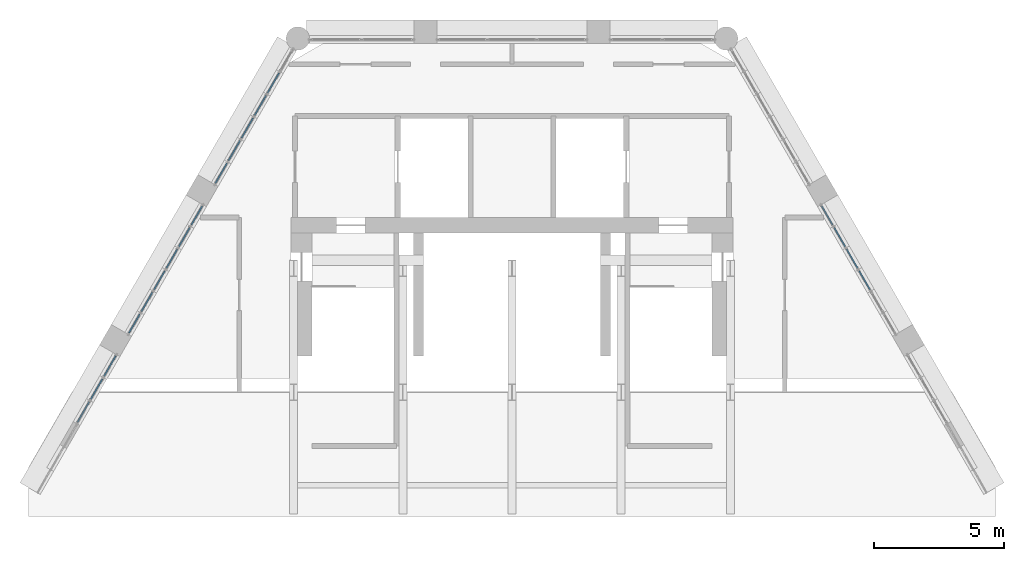
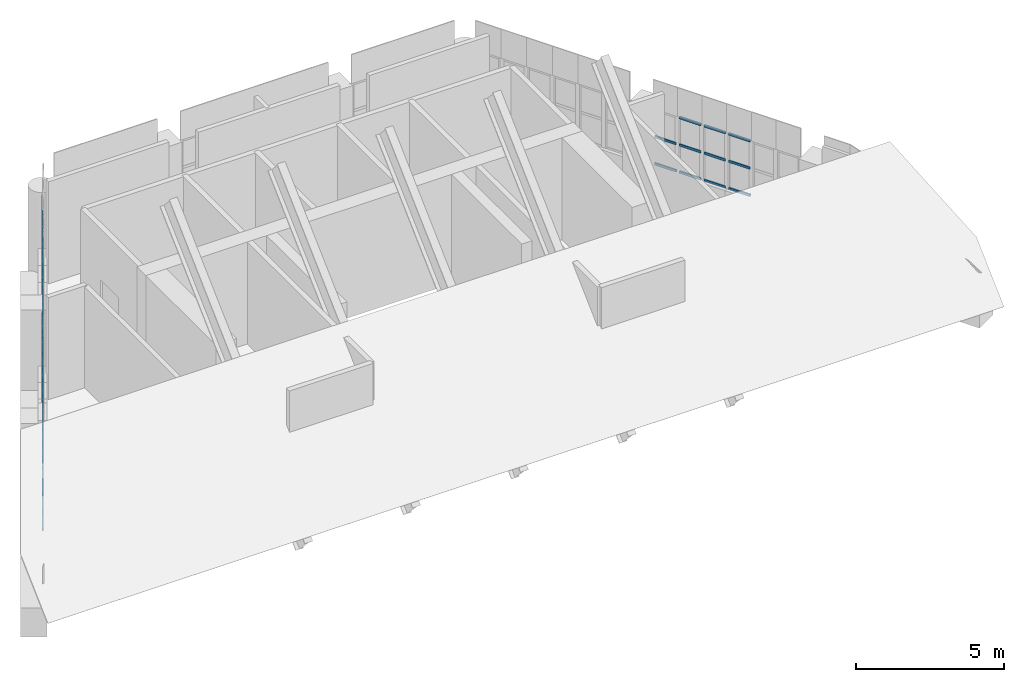
# One storey, part 11 of 16: 52 members, 18 elements without a shape of their own.
"""IFC4 building model written with IfcOpenShell, lengths in metres."""

import ifcopenshell
import ifcopenshell.guid

model = None  # the IFC model being written
_history = None  # IfcOwnerHistory: only IFC2X3 demands one
_inside = {}  # id of a spatial element -> (the spatial element, [elements in it])
_under = {}  # id of a project, library or spatial element -> (it, [spatial elements below it])
_declared = {}  # id of a project -> (the project, [libraries it declares])
_typed = {}  # id of a type object -> (the type object, [elements of that type])
_made_of = {}  # id of a material, layer set ... -> (it, [elements and type objects made of it])


def new_model(schema):
    """Start an empty IFC model of exactly this schema.

    Asked for "IFC4X3", IfcOpenShell would pick the latest addendum, in which some entities
    have other attributes; the version numbers below select the first issue.
    IFC2X3 requires an IfcOwnerHistory on every rooted entity: one is made here for all.
    """
    global model, _history
    if schema == "IFC4X3":
        model = ifcopenshell.file(schema_version=(4, 3, 0, 0))
    else:
        model = ifcopenshell.file(schema=schema)
    _inside.clear()
    _under.clear()
    _declared.clear()
    _typed.clear()
    _made_of.clear()
    _history = None
    if model.schema == "IFC2X3":
        org = make("IfcOrganization", Name="unknown")
        user = make(
            "IfcPersonAndOrganization",
            ThePerson=make("IfcPerson", FamilyName="unknown"),
            TheOrganization=org,
        )
        app = make(
            "IfcApplication",
            ApplicationDeveloper=org,
            Version="unknown",
            ApplicationFullName="unknown",
            ApplicationIdentifier="unknown",
        )
        _history = make(
            "IfcOwnerHistory",
            OwningUser=user,
            OwningApplication=app,
            ChangeAction="ADDED",
            CreationDate=0,
        )
    return model


def make(cls, **values):
    """One entity of the class cls with the attributes given. An attribute that is None is left unset."""
    return model.create_entity(
        cls, **{name: value for name, value in values.items() if value is not None}
    )


def rooted(cls, **values):
    """An entity with a GlobalId (a new one), such as an element, a storey or a relation."""
    return make(cls, GlobalId=ifcopenshell.guid.new(), OwnerHistory=_history, **values)


def si_unit(unit_type, name, prefix=None):
    """IfcSIUnit, for example si_unit("LENGTHUNIT", "METRE", prefix="MILLI")."""
    return make("IfcSIUnit", UnitType=unit_type, Prefix=prefix, Name=name)


def assignment(units):
    """IfcUnitAssignment: the units of a project."""
    return None if units is None else make("IfcUnitAssignment", Units=units)


def point(xyz):
    """IfcCartesianPoint."""
    return None if xyz is None else make("IfcCartesianPoint", Coordinates=xyz)


def direction(xyz):
    """IfcDirection."""
    return None if xyz is None else make("IfcDirection", DirectionRatios=xyz)


def frame(location, z_axis=None, x_axis=None):
    """IfcAxis2Placement3D, a coordinate frame: its origin and axes. An axis left out is left unset."""
    return make(
        "IfcAxis2Placement3D",
        Location=point(location),
        Axis=direction(z_axis),
        RefDirection=direction(x_axis),
    )


def frame_2d(location, x_axis=None):
    """IfcAxis2Placement2D, a coordinate frame in the plane: its origin and x axis."""
    return make(
        "IfcAxis2Placement2D", Location=point(location), RefDirection=direction(x_axis)
    )


def origin():
    """The frame at (0, 0, 0) with its axes left unset."""
    return frame((0.0, 0.0, 0.0))


def origin_2d():
    """The frame at (0, 0) in the plane with its x axis left unset."""
    return frame_2d((0.0, 0.0))


def place(relative_to, where):
    """IfcLocalPlacement: puts the frame where relative to a parent placement (None: the world)."""
    return make(
        "IfcLocalPlacement", PlacementRelTo=relative_to, RelativePlacement=where
    )


def context(
    kind, dimensions, precision=None, world=None, true_north=None, identifier=None
):
    """IfcGeometricRepresentationContext, for example the 3D "Model" context."""
    return make(
        "IfcGeometricRepresentationContext",
        ContextIdentifier=identifier,
        ContextType=kind,
        CoordinateSpaceDimension=dimensions,
        Precision=precision,
        WorldCoordinateSystem=world,
        TrueNorth=true_north,
    )


def subcontext(parent, identifier, kind, view, scale=None):
    """IfcGeometricRepresentationSubContext, for example "Body" below "Model"."""
    return make(
        "IfcGeometricRepresentationSubContext",
        ContextIdentifier=identifier,
        ContextType=kind,
        ParentContext=parent,
        TargetScale=scale,
        TargetView=view,
    )


def project(units=None, contexts=None):
    """IfcProject with its units and contexts."""
    return rooted(
        "IfcProject",
        Name="project",
        RepresentationContexts=contexts,
        UnitsInContext=assignment(units),
    )


def spatial(cls, under=None, at=None, **own):
    """A site, building, storey or space (cls), placed at a placement, below another one or the project."""
    s = rooted(cls, ObjectPlacement=at, **own)
    if under is not None:
        _under.setdefault(under.id(), (under, []))[1].append(s)
    return s


def profile(cls, at=None, kind="AREA", **sizes):
    """A parametric profile (cls). Its sizes go by their IFC names, for example OverallWidth=200.0."""
    return make(cls, ProfileType=kind, Position=at, **sizes)


def hollow_rectangle(**sizes):
    """IfcRectangleHollowProfileDef."""
    return profile("IfcRectangleHollowProfileDef", **sizes)


def extrude(swept, where, along, depth):
    """IfcExtrudedAreaSolid: the profile swept, set in the frame where, extruded along a direction by depth."""
    return make(
        "IfcExtrudedAreaSolid",
        SweptArea=swept,
        Position=where,
        ExtrudedDirection=direction(along),
        Depth=depth,
    )


def shape(context_of_items, identifier, shape_type, items):
    """IfcShapeRepresentation: the items that make up one representation, for example the "Body"."""
    return make(
        "IfcShapeRepresentation",
        ContextOfItems=context_of_items,
        RepresentationIdentifier=identifier,
        RepresentationType=shape_type,
        Items=items,
    )


def material(Name=None, Category=None):
    """IfcMaterial."""
    return make("IfcMaterial", Name=Name, Category=Category)


def material_profile(
    of_material, cross_section, Name=None, Category=None, Priority=None
):
    """IfcMaterialProfile: a cross section and its material."""
    return make(
        "IfcMaterialProfile",
        Name=Name,
        Material=of_material,
        Profile=cross_section,
        Priority=Priority,
        Category=Category,
    )


def profile_set(profiles, Name=None, composite=None):
    """IfcMaterialProfileSet."""
    return make(
        "IfcMaterialProfileSet",
        Name=Name,
        MaterialProfiles=profiles,
        CompositeProfile=composite,
    )


def made_of(thing, what):
    """Note that an element or type object is made of a material, layer set ...; save() writes the relation."""
    if what is not None:
        _made_of.setdefault(what.id(), (what, []))[1].append(thing)
    return thing


def type_object(cls, material=None, **own):
    """A type object (cls), such as IfcWallType, which elements share."""
    return made_of(rooted(cls, **own), material)


def element(
    cls,
    number,
    at=None,
    inside=None,
    cuts=None,
    type_object=None,
    material=None,
    context=None,
    identifier="Body",
    shape_type=None,
    held_by="IfcProductDefinitionShape",
    body=None,
    shapes=None,
    **own,
):
    """One element of the class cls, such as IfcWall. Its Tag is "e" and its number.

    at: its placement. inside: the storey or other place that contains it. cuts: it is an
    opening in that element (IfcRelVoidsElement). A single representation is given by context,
    identifier, shape_type and body (its items); several are given by shapes. held_by: the class
    of the entity that holds the representations. save() writes the other relations.
    """
    e = rooted(cls, Tag="e%d" % number, ObjectPlacement=at, **own)
    if body is not None:
        shapes = [shape(context, identifier, shape_type, body)]
    if shapes is not None:
        e.Representation = make(held_by, Representations=shapes)
    if inside is not None:
        _inside.setdefault(inside.id(), (inside, []))[1].append(e)
    if cuts is not None:
        rooted(
            "IfcRelVoidsElement", RelatingBuildingElement=cuts, RelatedOpeningElement=e
        )
    if type_object is not None:
        _typed.setdefault(type_object.id(), (type_object, []))[1].append(e)
    return made_of(e, material)


def aggregate(whole, parts):
    """IfcRelAggregates: a whole, such as a stair, and the parts it consists of."""
    return rooted("IfcRelAggregates", RelatingObject=whole, RelatedObjects=parts)


def save(model, path):
    """Write the relations noted so far, then the file.

    IfcRelAggregates (storeys below a building ...), IfcRelContainedInSpatialStructure (elements
    in a storey), IfcRelDefinesByType, IfcRelAssociatesMaterial and IfcRelDeclares: one each for
    every whole, place, type object, material and project.
    """
    for whole, parts in _under.values():
        aggregate(whole, parts)
    for where, things in _inside.values():
        rooted(
            "IfcRelContainedInSpatialStructure",
            RelatedElements=things,
            RelatingStructure=where,
        )
    for kind, things in _typed.values():
        rooted("IfcRelDefinesByType", RelatedObjects=things, RelatingType=kind)
    for what, things in _made_of.values():
        rooted("IfcRelAssociatesMaterial", RelatedObjects=things, RelatingMaterial=what)
    for by, libraries in _declared.values():
        rooted("IfcRelDeclares", RelatingContext=by, RelatedDefinitions=libraries)
    model.write(path)


model = new_model("IFC4")

# Units and contexts
model_context = context("Model", 3, precision=1e-05, world=origin(), true_north=direction((0.0, 1.0)))
body_context = subcontext(model_context, "Body", "Model", "MODEL_VIEW")
ifc_project = project(units=[si_unit("LENGTHUNIT", "METRE"), si_unit("AREAUNIT", "SQUARE_METRE"), si_unit("VOLUMEUNIT", "CUBIC_METRE"), si_unit("PLANEANGLEUNIT", "RADIAN"), si_unit("MASSUNIT", "GRAM", prefix="KILO")], contexts=[model_context])

# Site, building, storey
site_placement = place(None, origin())
site = spatial("IfcSite", under=ifc_project, at=site_placement, CompositionType="ELEMENT")
building_placement = place(site_placement, origin())
building = spatial("IfcBuilding", under=site, at=building_placement, Name="Ostrander Bayou Hotel Tower", CompositionType="ELEMENT")
storey_placement = place(building_placement, frame((0.0, 0.0, 288.5)))
storey = spatial("IfcBuildingStorey", under=building, at=storey_placement, Name="L71", CompositionType="ELEMENT", Elevation=288.5)

# Curtain wall, members
ifc_material_1 = material(Name="Aluminium and clear glass", Category="aluminium")
curtain_wall_type = type_object("IfcCurtainWallType", Name="CW-CROWN glazed wall", PredefinedType="NOTDEFINED", material=ifc_material_1)
curtain_wall_1_placement = place(storey_placement, origin())
curtain_wall_1 = element("IfcCurtainWall", 1, at=curtain_wall_1_placement, inside=storey, type_object=curtain_wall_type, Name="CW-CROWN L71:NW-1-2", PredefinedType="NOTDEFINED")
ifc_material_2 = material(Name="Aluminium", Category="aluminium")
ifc_material_profile = material_profile(ifc_material_2, hollow_rectangle(XDim=0.050048828125, YDim=0.10009765625, WallThickness=0.00390625, at=origin_2d()))
ifc_profile_set = profile_set([ifc_material_profile], Name="Aluminium")
member_type = type_object("IfcMemberType", Name="CW-CR transom 50 x 100 mm", PredefinedType="USERDEFINED", material=ifc_profile_set)
member_1_placement = place(storey_placement, frame((-8.963623046875, 15.26171875, 1.030029296875), z_axis=(-0.500033502416, -0.866006060292, 0.0), x_axis=(0.866006060292, -0.500033502416, 0.0)))
member_1 = element("IfcMember", 2, at=member_1_placement, type_object=member_type, Name="CW-CROWN transom 1.1", ObjectType="TRANSOM", PredefinedType="USERDEFINED", context=body_context, shape_type="SweptSolid", body=[
    extrude(hollow_rectangle(XDim=0.050048828125, YDim=0.10009765625, WallThickness=0.00390625, at=origin_2d()), origin(), (0.0, 0.0, 1.0), 0.88330078125),
])
member_2_placement = place(storey_placement, frame((-8.963623046875, 15.26171875, 2.14990234375), z_axis=(-0.500033502416, -0.866006060292, 0.0), x_axis=(0.866006060292, -0.500033502416, 0.0)))
member_2 = element("IfcMember", 3, at=member_2_placement, type_object=member_type, Name="CW-CROWN transom 1.2", ObjectType="TRANSOM", PredefinedType="USERDEFINED", context=body_context, shape_type="SweptSolid", body=[
    extrude(hollow_rectangle(XDim=0.050048828125, YDim=0.10009765625, WallThickness=0.00390625, at=origin_2d()), origin(), (0.0, 0.0, 1.0), 0.88330078125),
])
member_3_placement = place(storey_placement, frame((-8.963623046875, 15.26171875, 3.27001953125), z_axis=(-0.500033502416, -0.866006060292, 0.0), x_axis=(0.866006060292, -0.500033502416, 0.0)))
member_3 = element("IfcMember", 4, at=member_3_placement, type_object=member_type, Name="CW-CROWN transom 1.3", ObjectType="TRANSOM", PredefinedType="USERDEFINED", context=body_context, shape_type="SweptSolid", body=[
    extrude(hollow_rectangle(XDim=0.050048828125, YDim=0.10009765625, WallThickness=0.00390625, at=origin_2d()), origin(), (0.0, 0.0, 1.0), 0.88330078125),
])
aggregate(curtain_wall_1, [member_1, member_2, member_3])

curtain_wall_2_placement = place(storey_placement, origin())
curtain_wall_2 = element("IfcCurtainWall", 5, at=curtain_wall_2_placement, inside=storey, type_object=curtain_wall_type, Name="CW-CROWN L71:NW-1-3", PredefinedType="NOTDEFINED")
member_4_placement = place(storey_placement, frame((-9.465087890625, 14.392822265625, 1.030029296875), z_axis=(-0.500153222552, -0.865936922628, 0.0), x_axis=(0.865936922628, -0.500153222552, 0.0)))
member_4 = element("IfcMember", 6, at=member_4_placement, type_object=member_type, Name="CW-CROWN transom 1.1", ObjectType="TRANSOM", PredefinedType="USERDEFINED", context=body_context, shape_type="SweptSolid", body=[
    extrude(hollow_rectangle(XDim=0.050048828125, YDim=0.10009765625, WallThickness=0.00390625, at=origin_2d()), origin(), (0.0, 0.0, 1.0), 0.883056640625),
])
member_5_placement = place(storey_placement, frame((-9.465087890625, 14.392822265625, 2.14990234375), z_axis=(-0.500153222552, -0.865936922628, 0.0), x_axis=(0.865936922628, -0.500153222552, 0.0)))
member_5 = element("IfcMember", 7, at=member_5_placement, type_object=member_type, Name="CW-CROWN transom 1.2", ObjectType="TRANSOM", PredefinedType="USERDEFINED", context=body_context, shape_type="SweptSolid", body=[
    extrude(hollow_rectangle(XDim=0.050048828125, YDim=0.10009765625, WallThickness=0.00390625, at=origin_2d()), origin(), (0.0, 0.0, 1.0), 0.883056640625),
])
member_6_placement = place(storey_placement, frame((-9.465087890625, 14.392822265625, 3.27001953125), z_axis=(-0.500153222552, -0.865936922628, 0.0), x_axis=(0.865936922628, -0.500153222552, 0.0)))
member_6 = element("IfcMember", 8, at=member_6_placement, type_object=member_type, Name="CW-CROWN transom 1.3", ObjectType="TRANSOM", PredefinedType="USERDEFINED", context=body_context, shape_type="SweptSolid", body=[
    extrude(hollow_rectangle(XDim=0.050048828125, YDim=0.10009765625, WallThickness=0.00390625, at=origin_2d()), origin(), (0.0, 0.0, 1.0), 0.883056640625),
])
aggregate(curtain_wall_2, [member_4, member_5, member_6])

curtain_wall_3_placement = place(storey_placement, origin())
curtain_wall_3 = element("IfcCurtainWall", 9, at=curtain_wall_3_placement, inside=storey, type_object=curtain_wall_type, Name="CW-CROWN L71:NW-1-4", PredefinedType="NOTDEFINED")
member_7_placement = place(storey_placement, frame((-9.966796875, 13.524169921875, 1.030029296875), z_axis=(-0.499826157957, -0.866125748273, 0.0), x_axis=(0.866125748273, -0.499826157957, 0.0)))
member_7 = element("IfcMember", 10, at=member_7_placement, type_object=member_type, Name="CW-CROWN transom 1.1", ObjectType="TRANSOM", PredefinedType="USERDEFINED", context=body_context, shape_type="SweptSolid", body=[
    extrude(hollow_rectangle(XDim=0.050048828125, YDim=0.10009765625, WallThickness=0.00390625, at=origin_2d()), origin(), (0.0, 0.0, 1.0), 0.883056640625),
])
member_8_placement = place(storey_placement, frame((-9.966796875, 13.524169921875, 2.14990234375), z_axis=(-0.499826157957, -0.866125748273, 0.0), x_axis=(0.866125748273, -0.499826157957, 0.0)))
member_8 = element("IfcMember", 11, at=member_8_placement, type_object=member_type, Name="CW-CROWN transom 1.2", ObjectType="TRANSOM", PredefinedType="USERDEFINED", context=body_context, shape_type="SweptSolid", body=[
    extrude(hollow_rectangle(XDim=0.050048828125, YDim=0.10009765625, WallThickness=0.00390625, at=origin_2d()), origin(), (0.0, 0.0, 1.0), 0.883056640625),
])
member_9_placement = place(storey_placement, frame((-9.966796875, 13.524169921875, 3.27001953125), z_axis=(-0.499826157957, -0.866125748273, 0.0), x_axis=(0.866125748273, -0.499826157957, 0.0)))
member_9 = element("IfcMember", 12, at=member_9_placement, type_object=member_type, Name="CW-CROWN transom 1.3", ObjectType="TRANSOM", PredefinedType="USERDEFINED", context=body_context, shape_type="SweptSolid", body=[
    extrude(hollow_rectangle(XDim=0.050048828125, YDim=0.10009765625, WallThickness=0.00390625, at=origin_2d()), origin(), (0.0, 0.0, 1.0), 0.883056640625),
])
aggregate(curtain_wall_3, [member_7, member_8, member_9])

curtain_wall_4_placement = place(storey_placement, origin())
curtain_wall_4 = element("IfcCurtainWall", 13, at=curtain_wall_4_placement, inside=storey, type_object=curtain_wall_type, Name="CW-CROWN L71:NW-1-5", PredefinedType="NOTDEFINED")
member_10_placement = place(storey_placement, frame((-10.46826171875, 12.6552734375, 1.030029296875), z_axis=(-0.500153222552, -0.865936922628, 0.0), x_axis=(0.865936922628, -0.500153222552, 0.0)))
member_10 = element("IfcMember", 14, at=member_10_placement, type_object=member_type, Name="CW-CROWN transom 1.1", ObjectType="TRANSOM", PredefinedType="USERDEFINED", context=body_context, shape_type="SweptSolid", body=[
    extrude(hollow_rectangle(XDim=0.050048828125, YDim=0.10009765625, WallThickness=0.00390625, at=origin_2d()), origin(), (0.0, 0.0, 1.0), 0.883056640625),
])
member_11_placement = place(storey_placement, frame((-10.46826171875, 12.6552734375, 2.14990234375), z_axis=(-0.500153222552, -0.865936922628, 0.0), x_axis=(0.865936922628, -0.500153222552, 0.0)))
member_11 = element("IfcMember", 15, at=member_11_placement, type_object=member_type, Name="CW-CROWN transom 1.2", ObjectType="TRANSOM", PredefinedType="USERDEFINED", context=body_context, shape_type="SweptSolid", body=[
    extrude(hollow_rectangle(XDim=0.050048828125, YDim=0.10009765625, WallThickness=0.00390625, at=origin_2d()), origin(), (0.0, 0.0, 1.0), 0.883056640625),
])
member_12_placement = place(storey_placement, frame((-10.46826171875, 12.6552734375, 3.27001953125), z_axis=(-0.500153222552, -0.865936922628, 0.0), x_axis=(0.865936922628, -0.500153222552, 0.0)))
member_12 = element("IfcMember", 16, at=member_12_placement, type_object=member_type, Name="CW-CROWN transom 1.3", ObjectType="TRANSOM", PredefinedType="USERDEFINED", context=body_context, shape_type="SweptSolid", body=[
    extrude(hollow_rectangle(XDim=0.050048828125, YDim=0.10009765625, WallThickness=0.00390625, at=origin_2d()), origin(), (0.0, 0.0, 1.0), 0.883056640625),
])
aggregate(curtain_wall_4, [member_10, member_11, member_12])

curtain_wall_5_placement = place(storey_placement, origin())
curtain_wall_5 = element("IfcCurtainWall", 17, at=curtain_wall_5_placement, inside=storey, type_object=curtain_wall_type, Name="CW-CROWN L71:NW-1-6", PredefinedType="NOTDEFINED")
member_13_placement = place(storey_placement, frame((-10.969970703125, 11.78662109375, 1.030029296875), z_axis=(-0.500033502416, -0.866006060292, 0.0), x_axis=(0.866006060292, -0.500033502416, 0.0)))
member_13 = element("IfcMember", 18, at=member_13_placement, type_object=member_type, Name="CW-CROWN transom 1.1", ObjectType="TRANSOM", PredefinedType="USERDEFINED", context=body_context, shape_type="SweptSolid", body=[
    extrude(hollow_rectangle(XDim=0.050048828125, YDim=0.10009765625, WallThickness=0.00390625, at=origin_2d()), origin(), (0.0, 0.0, 1.0), 0.88330078125),
])
member_14_placement = place(storey_placement, frame((-10.969970703125, 11.78662109375, 2.14990234375), z_axis=(-0.500033502416, -0.866006060292, 0.0), x_axis=(0.866006060292, -0.500033502416, 0.0)))
member_14 = element("IfcMember", 19, at=member_14_placement, type_object=member_type, Name="CW-CROWN transom 1.2", ObjectType="TRANSOM", PredefinedType="USERDEFINED", context=body_context, shape_type="SweptSolid", body=[
    extrude(hollow_rectangle(XDim=0.050048828125, YDim=0.10009765625, WallThickness=0.00390625, at=origin_2d()), origin(), (0.0, 0.0, 1.0), 0.88330078125),
])
member_15_placement = place(storey_placement, frame((-10.969970703125, 11.78662109375, 3.27001953125), z_axis=(-0.500033502416, -0.866006060292, 0.0), x_axis=(0.866006060292, -0.500033502416, 0.0)))
member_15 = element("IfcMember", 20, at=member_15_placement, type_object=member_type, Name="CW-CROWN transom 1.3", ObjectType="TRANSOM", PredefinedType="USERDEFINED", context=body_context, shape_type="SweptSolid", body=[
    extrude(hollow_rectangle(XDim=0.050048828125, YDim=0.10009765625, WallThickness=0.00390625, at=origin_2d()), origin(), (0.0, 0.0, 1.0), 0.88330078125),
])
aggregate(curtain_wall_5, [member_13, member_14, member_15])

curtain_wall_6_placement = place(storey_placement, origin())
curtain_wall_6 = element("IfcCurtainWall", 21, at=curtain_wall_6_placement, inside=storey, type_object=curtain_wall_type, Name="CW-CROWN L71:NW-2-1", PredefinedType="NOTDEFINED")
member_16_placement = place(storey_placement, frame((-11.92138671875, 10.138427734375, 1.030029296875), z_axis=(-0.500016035621, -0.866016145416, 0.0), x_axis=(0.866016145416, -0.500016035621, 0.0)))
member_16 = element("IfcMember", 22, at=member_16_placement, type_object=member_type, Name="CW-CROWN transom 1.1", ObjectType="TRANSOM", PredefinedType="USERDEFINED", context=body_context, shape_type="SweptSolid", body=[
    extrude(hollow_rectangle(XDim=0.050048828125, YDim=0.10009765625, WallThickness=0.00390625, at=origin_2d()), origin(), (0.0, 0.0, 1.0), 0.83984375),
])
member_17_placement = place(storey_placement, frame((-11.92138671875, 10.138427734375, 2.14990234375), z_axis=(-0.500016035621, -0.866016145416, 0.0), x_axis=(0.866016145416, -0.500016035621, 0.0)))
member_17 = element("IfcMember", 23, at=member_17_placement, type_object=member_type, Name="CW-CROWN transom 1.2", ObjectType="TRANSOM", PredefinedType="USERDEFINED", context=body_context, shape_type="SweptSolid", body=[
    extrude(hollow_rectangle(XDim=0.050048828125, YDim=0.10009765625, WallThickness=0.00390625, at=origin_2d()), origin(), (0.0, 0.0, 1.0), 0.83984375),
])
member_18_placement = place(storey_placement, frame((-11.92138671875, 10.138427734375, 3.27001953125), z_axis=(-0.500016035621, -0.866016145416, 0.0), x_axis=(0.866016145416, -0.500016035621, 0.0)))
member_18 = element("IfcMember", 24, at=member_18_placement, type_object=member_type, Name="CW-CROWN transom 1.3", ObjectType="TRANSOM", PredefinedType="USERDEFINED", context=body_context, shape_type="SweptSolid", body=[
    extrude(hollow_rectangle(XDim=0.050048828125, YDim=0.10009765625, WallThickness=0.00390625, at=origin_2d()), origin(), (0.0, 0.0, 1.0), 0.83984375),
])
aggregate(curtain_wall_6, [member_16, member_17, member_18])

curtain_wall_7_placement = place(storey_placement, origin())
curtain_wall_7 = element("IfcCurtainWall", 25, at=curtain_wall_7_placement, inside=storey, type_object=curtain_wall_type, Name="CW-CROWN L71:NW-2-2", PredefinedType="NOTDEFINED")
member_19_placement = place(storey_placement, frame((-12.4013671875, 9.30712890625, 1.030029296875), z_axis=(-0.500141944548, -0.86594343655, 0.0), x_axis=(0.86594343655, -0.500141944548, 0.0)))
member_19 = element("IfcMember", 26, at=member_19_placement, type_object=member_type, Name="CW-CROWN transom 1.1", ObjectType="TRANSOM", PredefinedType="USERDEFINED", context=body_context, shape_type="SweptSolid", body=[
    extrude(hollow_rectangle(XDim=0.050048828125, YDim=0.10009765625, WallThickness=0.00390625, at=origin_2d()), origin(), (0.0, 0.0, 1.0), 0.839599609375),
])
member_20_placement = place(storey_placement, frame((-12.4013671875, 9.30712890625, 2.14990234375), z_axis=(-0.500141944548, -0.86594343655, 0.0), x_axis=(0.86594343655, -0.500141944548, 0.0)))
member_20 = element("IfcMember", 27, at=member_20_placement, type_object=member_type, Name="CW-CROWN transom 1.2", ObjectType="TRANSOM", PredefinedType="USERDEFINED", context=body_context, shape_type="SweptSolid", body=[
    extrude(hollow_rectangle(XDim=0.050048828125, YDim=0.10009765625, WallThickness=0.00390625, at=origin_2d()), origin(), (0.0, 0.0, 1.0), 0.839599609375),
])
member_21_placement = place(storey_placement, frame((-12.4013671875, 9.30712890625, 3.27001953125), z_axis=(-0.500141944548, -0.86594343655, 0.0), x_axis=(0.86594343655, -0.500141944548, 0.0)))
member_21 = element("IfcMember", 28, at=member_21_placement, type_object=member_type, Name="CW-CROWN transom 1.3", ObjectType="TRANSOM", PredefinedType="USERDEFINED", context=body_context, shape_type="SweptSolid", body=[
    extrude(hollow_rectangle(XDim=0.050048828125, YDim=0.10009765625, WallThickness=0.00390625, at=origin_2d()), origin(), (0.0, 0.0, 1.0), 0.839599609375),
])
aggregate(curtain_wall_7, [member_19, member_20, member_21])

curtain_wall_8_placement = place(storey_placement, origin())
curtain_wall_8 = element("IfcCurtainWall", 29, at=curtain_wall_8_placement, inside=storey, type_object=curtain_wall_type, Name="CW-CROWN L71:NW-2-3", PredefinedType="NOTDEFINED")
member_22_placement = place(storey_placement, frame((-12.88134765625, 8.47607421875, 1.030029296875), z_axis=(-0.500016035621, -0.866016145416, 0.0), x_axis=(0.866016145416, -0.500016035621, 0.0)))
member_22 = element("IfcMember", 30, at=member_22_placement, type_object=member_type, Name="CW-CROWN transom 1.1", ObjectType="TRANSOM", PredefinedType="USERDEFINED", context=body_context, shape_type="SweptSolid", body=[
    extrude(hollow_rectangle(XDim=0.050048828125, YDim=0.10009765625, WallThickness=0.00390625, at=origin_2d()), origin(), (0.0, 0.0, 1.0), 0.83984375),
])
member_23_placement = place(storey_placement, frame((-12.88134765625, 8.47607421875, 2.14990234375), z_axis=(-0.500016035621, -0.866016145416, 0.0), x_axis=(0.866016145416, -0.500016035621, 0.0)))
member_23 = element("IfcMember", 31, at=member_23_placement, type_object=member_type, Name="CW-CROWN transom 1.2", ObjectType="TRANSOM", PredefinedType="USERDEFINED", context=body_context, shape_type="SweptSolid", body=[
    extrude(hollow_rectangle(XDim=0.050048828125, YDim=0.10009765625, WallThickness=0.00390625, at=origin_2d()), origin(), (0.0, 0.0, 1.0), 0.83984375),
])
member_24_placement = place(storey_placement, frame((-12.88134765625, 8.47607421875, 3.27001953125), z_axis=(-0.500016035621, -0.866016145416, 0.0), x_axis=(0.866016145416, -0.500016035621, 0.0)))
member_24 = element("IfcMember", 32, at=member_24_placement, type_object=member_type, Name="CW-CROWN transom 1.3", ObjectType="TRANSOM", PredefinedType="USERDEFINED", context=body_context, shape_type="SweptSolid", body=[
    extrude(hollow_rectangle(XDim=0.050048828125, YDim=0.10009765625, WallThickness=0.00390625, at=origin_2d()), origin(), (0.0, 0.0, 1.0), 0.83984375),
])
aggregate(curtain_wall_8, [member_22, member_23, member_24])

curtain_wall_9_placement = place(storey_placement, origin())
curtain_wall_9 = element("IfcCurtainWall", 33, at=curtain_wall_9_placement, inside=storey, type_object=curtain_wall_type, Name="CW-CROWN L71:NW-2-4", PredefinedType="NOTDEFINED")
member_25_placement = place(storey_placement, frame((-13.361083984375, 7.644775390625, 1.030029296875), z_axis=(-0.500016035621, -0.866016145416, 0.0), x_axis=(0.866016145416, -0.500016035621, 0.0)))
member_25 = element("IfcMember", 34, at=member_25_placement, type_object=member_type, Name="CW-CROWN transom 1.1", ObjectType="TRANSOM", PredefinedType="USERDEFINED", context=body_context, shape_type="SweptSolid", body=[
    extrude(hollow_rectangle(XDim=0.050048828125, YDim=0.10009765625, WallThickness=0.00390625, at=origin_2d()), origin(), (0.0, 0.0, 1.0), 0.83984375),
])
member_26_placement = place(storey_placement, frame((-13.361083984375, 7.644775390625, 2.14990234375), z_axis=(-0.500016035621, -0.866016145416, 0.0), x_axis=(0.866016145416, -0.500016035621, 0.0)))
member_26 = element("IfcMember", 35, at=member_26_placement, type_object=member_type, Name="CW-CROWN transom 1.2", ObjectType="TRANSOM", PredefinedType="USERDEFINED", context=body_context, shape_type="SweptSolid", body=[
    extrude(hollow_rectangle(XDim=0.050048828125, YDim=0.10009765625, WallThickness=0.00390625, at=origin_2d()), origin(), (0.0, 0.0, 1.0), 0.83984375),
])
member_27_placement = place(storey_placement, frame((-13.361083984375, 7.644775390625, 3.27001953125), z_axis=(-0.500016035621, -0.866016145416, 0.0), x_axis=(0.866016145416, -0.500016035621, 0.0)))
member_27 = element("IfcMember", 36, at=member_27_placement, type_object=member_type, Name="CW-CROWN transom 1.3", ObjectType="TRANSOM", PredefinedType="USERDEFINED", context=body_context, shape_type="SweptSolid", body=[
    extrude(hollow_rectangle(XDim=0.050048828125, YDim=0.10009765625, WallThickness=0.00390625, at=origin_2d()), origin(), (0.0, 0.0, 1.0), 0.83984375),
])
aggregate(curtain_wall_9, [member_25, member_26, member_27])

curtain_wall_10_placement = place(storey_placement, origin())
curtain_wall_10 = element("IfcCurtainWall", 37, at=curtain_wall_10_placement, inside=storey, type_object=curtain_wall_type, Name="CW-CROWN L71:NW-2-5", PredefinedType="NOTDEFINED")
member_28_placement = place(storey_placement, frame((-13.841064453125, 6.8134765625, 1.030029296875), z_axis=(-0.500016035621, -0.866016145416, 0.0), x_axis=(0.866016145416, -0.500016035621, 0.0)))
member_28 = element("IfcMember", 38, at=member_28_placement, type_object=member_type, Name="CW-CROWN transom 1.1", ObjectType="TRANSOM", PredefinedType="USERDEFINED", context=body_context, shape_type="SweptSolid", body=[
    extrude(hollow_rectangle(XDim=0.050048828125, YDim=0.10009765625, WallThickness=0.00390625, at=origin_2d()), origin(), (0.0, 0.0, 1.0), 0.83984375),
])
member_29_placement = place(storey_placement, frame((-13.841064453125, 6.8134765625, 2.14990234375), z_axis=(-0.500016035621, -0.866016145416, 0.0), x_axis=(0.866016145416, -0.500016035621, 0.0)))
member_29 = element("IfcMember", 39, at=member_29_placement, type_object=member_type, Name="CW-CROWN transom 1.2", ObjectType="TRANSOM", PredefinedType="USERDEFINED", context=body_context, shape_type="SweptSolid", body=[
    extrude(hollow_rectangle(XDim=0.050048828125, YDim=0.10009765625, WallThickness=0.00390625, at=origin_2d()), origin(), (0.0, 0.0, 1.0), 0.83984375),
])
member_30_placement = place(storey_placement, frame((-13.841064453125, 6.8134765625, 3.27001953125), z_axis=(-0.500016035621, -0.866016145416, 0.0), x_axis=(0.866016145416, -0.500016035621, 0.0)))
member_30 = element("IfcMember", 40, at=member_30_placement, type_object=member_type, Name="CW-CROWN transom 1.3", ObjectType="TRANSOM", PredefinedType="USERDEFINED", context=body_context, shape_type="SweptSolid", body=[
    extrude(hollow_rectangle(XDim=0.050048828125, YDim=0.10009765625, WallThickness=0.00390625, at=origin_2d()), origin(), (0.0, 0.0, 1.0), 0.83984375),
])
aggregate(curtain_wall_10, [member_28, member_29, member_30])

curtain_wall_11_placement = place(storey_placement, origin())
curtain_wall_11 = element("IfcCurtainWall", 41, at=curtain_wall_11_placement, inside=storey, type_object=curtain_wall_type, Name="CW-CROWN L71:NW-2-6", PredefinedType="NOTDEFINED")
member_31_placement = place(storey_placement, frame((-14.321044921875, 5.982421875, 1.030029296875), z_axis=(-0.500016035621, -0.866016145416, 0.0), x_axis=(0.866016145416, -0.500016035621, 0.0)))
member_31 = element("IfcMember", 42, at=member_31_placement, type_object=member_type, Name="CW-CROWN transom 1.1", ObjectType="TRANSOM", PredefinedType="USERDEFINED", context=body_context, shape_type="SweptSolid", body=[
    extrude(hollow_rectangle(XDim=0.050048828125, YDim=0.10009765625, WallThickness=0.00390625, at=origin_2d()), origin(), (0.0, 0.0, 1.0), 0.83984375),
])
member_32_placement = place(storey_placement, frame((-14.321044921875, 5.982421875, 2.14990234375), z_axis=(-0.500016035621, -0.866016145416, 0.0), x_axis=(0.866016145416, -0.500016035621, 0.0)))
member_32 = element("IfcMember", 43, at=member_32_placement, type_object=member_type, Name="CW-CROWN transom 1.2", ObjectType="TRANSOM", PredefinedType="USERDEFINED", context=body_context, shape_type="SweptSolid", body=[
    extrude(hollow_rectangle(XDim=0.050048828125, YDim=0.10009765625, WallThickness=0.00390625, at=origin_2d()), origin(), (0.0, 0.0, 1.0), 0.83984375),
])
member_33_placement = place(storey_placement, frame((-14.321044921875, 5.982421875, 3.27001953125), z_axis=(-0.500016035621, -0.866016145416, 0.0), x_axis=(0.866016145416, -0.500016035621, 0.0)))
member_33 = element("IfcMember", 44, at=member_33_placement, type_object=member_type, Name="CW-CROWN transom 1.3", ObjectType="TRANSOM", PredefinedType="USERDEFINED", context=body_context, shape_type="SweptSolid", body=[
    extrude(hollow_rectangle(XDim=0.050048828125, YDim=0.10009765625, WallThickness=0.00390625, at=origin_2d()), origin(), (0.0, 0.0, 1.0), 0.83984375),
])
aggregate(curtain_wall_11, [member_31, member_32, member_33])

curtain_wall_12_placement = place(storey_placement, origin())
curtain_wall_12 = element("IfcCurtainWall", 45, at=curtain_wall_12_placement, inside=storey, type_object=curtain_wall_type, Name="CW-CROWN L71:NW-3-1", PredefinedType="NOTDEFINED")
member_34_placement = place(storey_placement, frame((-15.2509765625, 4.371826171875, 1.030029296875), z_axis=(-0.499925626596, -0.866068339032, 0.0), x_axis=(0.866068339032, -0.499925626596, 0.0)))
member_34 = element("IfcMember", 46, at=member_34_placement, type_object=member_type, Name="CW-CROWN transom 1.1", ObjectType="TRANSOM", PredefinedType="USERDEFINED", context=body_context, shape_type="SweptSolid", body=[
    extrude(hollow_rectangle(XDim=0.050048828125, YDim=0.10009765625, WallThickness=0.00390625, at=origin_2d()), origin(), (0.0, 0.0, 1.0), 0.901611328125),
])
member_35_placement = place(storey_placement, frame((-15.2509765625, 4.371826171875, 2.14990234375), z_axis=(-0.499925626596, -0.866068339032, 0.0), x_axis=(0.866068339032, -0.499925626596, 0.0)))
member_35 = element("IfcMember", 47, at=member_35_placement, type_object=member_type, Name="CW-CROWN transom 1.2", ObjectType="TRANSOM", PredefinedType="USERDEFINED", context=body_context, shape_type="SweptSolid", body=[
    extrude(hollow_rectangle(XDim=0.050048828125, YDim=0.10009765625, WallThickness=0.00390625, at=origin_2d()), origin(), (0.0, 0.0, 1.0), 0.901611328125),
])
member_36_placement = place(storey_placement, frame((-15.2509765625, 4.371826171875, 3.27001953125), z_axis=(-0.499925626596, -0.866068339032, 0.0), x_axis=(0.866068339032, -0.499925626596, 0.0)))
member_36 = element("IfcMember", 48, at=member_36_placement, type_object=member_type, Name="CW-CROWN transom 1.3", ObjectType="TRANSOM", PredefinedType="USERDEFINED", context=body_context, shape_type="SweptSolid", body=[
    extrude(hollow_rectangle(XDim=0.050048828125, YDim=0.10009765625, WallThickness=0.00390625, at=origin_2d()), origin(), (0.0, 0.0, 1.0), 0.901611328125),
])
aggregate(curtain_wall_12, [member_34, member_35, member_36])

curtain_wall_13_placement = place(storey_placement, origin())
curtain_wall_13 = element("IfcCurtainWall", 49, at=curtain_wall_13_placement, inside=storey, type_object=curtain_wall_type, Name="CW-CROWN L71:NW-3-2", PredefinedType="NOTDEFINED")
member_37_placement = place(storey_placement, frame((-15.76171875, 3.487060546875, 1.030029296875), z_axis=(-0.499925626596, -0.866068339032, 0.0), x_axis=(0.866068339032, -0.499925626596, 0.0)))
member_37 = element("IfcMember", 50, at=member_37_placement, type_object=member_type, Name="CW-CROWN transom 1.1", ObjectType="TRANSOM", PredefinedType="USERDEFINED", context=body_context, shape_type="SweptSolid", body=[
    extrude(hollow_rectangle(XDim=0.050048828125, YDim=0.10009765625, WallThickness=0.00390625, at=origin_2d()), origin(), (0.0, 0.0, 1.0), 0.901611328125),
])
member_38_placement = place(storey_placement, frame((-15.76171875, 3.487060546875, 2.14990234375), z_axis=(-0.499925626596, -0.866068339032, 0.0), x_axis=(0.866068339032, -0.499925626596, 0.0)))
member_38 = element("IfcMember", 51, at=member_38_placement, type_object=member_type, Name="CW-CROWN transom 1.2", ObjectType="TRANSOM", PredefinedType="USERDEFINED", context=body_context, shape_type="SweptSolid", body=[
    extrude(hollow_rectangle(XDim=0.050048828125, YDim=0.10009765625, WallThickness=0.00390625, at=origin_2d()), origin(), (0.0, 0.0, 1.0), 0.901611328125),
])
member_39_placement = place(storey_placement, frame((-15.76171875, 3.487060546875, 3.27001953125), z_axis=(-0.499925626596, -0.866068339032, 0.0), x_axis=(0.866068339032, -0.499925626596, 0.0)))
member_39 = element("IfcMember", 52, at=member_39_placement, type_object=member_type, Name="CW-CROWN transom 1.3", ObjectType="TRANSOM", PredefinedType="USERDEFINED", context=body_context, shape_type="SweptSolid", body=[
    extrude(hollow_rectangle(XDim=0.050048828125, YDim=0.10009765625, WallThickness=0.00390625, at=origin_2d()), origin(), (0.0, 0.0, 1.0), 0.901611328125),
])
aggregate(curtain_wall_13, [member_37, member_38, member_39])

curtain_wall_14_placement = place(storey_placement, origin())
curtain_wall_14 = element("IfcCurtainWall", 53, at=curtain_wall_14_placement, inside=storey, type_object=curtain_wall_type, Name="CW-CROWN L71:NW-3-3", PredefinedType="NOTDEFINED")
member_40_placement = place(storey_placement, frame((-16.2724609375, 2.602294921875, 1.030029296875), z_axis=(-0.499925626596, -0.866068339032, 0.0), x_axis=(0.866068339032, -0.499925626596, 0.0)))
member_40 = element("IfcMember", 54, at=member_40_placement, type_object=member_type, Name="CW-CROWN transom 1.1", ObjectType="TRANSOM", PredefinedType="USERDEFINED", context=body_context, shape_type="SweptSolid", body=[
    extrude(hollow_rectangle(XDim=0.050048828125, YDim=0.10009765625, WallThickness=0.00390625, at=origin_2d()), origin(), (0.0, 0.0, 1.0), 0.901611328125),
])
member_41_placement = place(storey_placement, frame((-16.2724609375, 2.602294921875, 2.442138671875), z_axis=(-0.499925626596, -0.866068339032, 0.0), x_axis=(0.866068339032, -0.499925626596, 0.0)))
member_41 = element("IfcMember", 55, at=member_41_placement, type_object=member_type, Name="CW-CROWN transom 1.2", ObjectType="TRANSOM", PredefinedType="USERDEFINED", context=body_context, shape_type="SweptSolid", body=[
    extrude(hollow_rectangle(XDim=0.050048828125, YDim=0.10009765625, WallThickness=0.00390625, at=origin_2d()), origin(), (0.0, 0.0, 1.0), 0.901611328125),
])
aggregate(curtain_wall_14, [member_40, member_41])

curtain_wall_15_placement = place(storey_placement, origin())
curtain_wall_15 = element("IfcCurtainWall", 56, at=curtain_wall_15_placement, inside=storey, type_object=curtain_wall_type, Name="CW-CROWN L71:NE-2-3", PredefinedType="NOTDEFINED")
member_42_placement = place(storey_placement, frame((13.781005859375, 6.91748046875, 1.030029296875), z_axis=(-0.500016035621, 0.866016145416, 0.0), x_axis=(-0.866016145416, -0.500016035621, 0.0)))
member_42 = element("IfcMember", 57, at=member_42_placement, type_object=member_type, Name="CW-CROWN transom 1.1", ObjectType="TRANSOM", PredefinedType="USERDEFINED", context=body_context, shape_type="SweptSolid", body=[
    extrude(hollow_rectangle(XDim=0.050048828125, YDim=0.10009765625, WallThickness=0.00390625, at=origin_2d()), origin(), (0.0, 0.0, 1.0), 0.83984375),
])
member_43_placement = place(storey_placement, frame((13.781005859375, 6.91748046875, 2.14990234375), z_axis=(-0.500016035621, 0.866016145416, 0.0), x_axis=(-0.866016145416, -0.500016035621, 0.0)))
member_43 = element("IfcMember", 58, at=member_43_placement, type_object=member_type, Name="CW-CROWN transom 1.2", ObjectType="TRANSOM", PredefinedType="USERDEFINED", context=body_context, shape_type="SweptSolid", body=[
    extrude(hollow_rectangle(XDim=0.050048828125, YDim=0.10009765625, WallThickness=0.00390625, at=origin_2d()), origin(), (0.0, 0.0, 1.0), 0.83984375),
])
member_44_placement = place(storey_placement, frame((13.781005859375, 6.91748046875, 3.27001953125), z_axis=(-0.500016035621, 0.866016145416, 0.0), x_axis=(-0.866016145416, -0.500016035621, 0.0)))
member_44 = element("IfcMember", 59, at=member_44_placement, type_object=member_type, Name="CW-CROWN transom 1.3", ObjectType="TRANSOM", PredefinedType="USERDEFINED", context=body_context, shape_type="SweptSolid", body=[
    extrude(hollow_rectangle(XDim=0.050048828125, YDim=0.10009765625, WallThickness=0.00390625, at=origin_2d()), origin(), (0.0, 0.0, 1.0), 0.83984375),
])
aggregate(curtain_wall_15, [member_42, member_43, member_44])

curtain_wall_16_placement = place(storey_placement, origin())
curtain_wall_16 = element("IfcCurtainWall", 60, at=curtain_wall_16_placement, inside=storey, type_object=curtain_wall_type, Name="CW-CROWN L71:NE-2-4", PredefinedType="NOTDEFINED")
member_45_placement = place(storey_placement, frame((13.30126953125, 7.748779296875, 1.030029296875), z_axis=(-0.500016035621, 0.866016145416, 0.0), x_axis=(-0.866016145416, -0.500016035621, 0.0)))
member_45 = element("IfcMember", 61, at=member_45_placement, type_object=member_type, Name="CW-CROWN transom 1.1", ObjectType="TRANSOM", PredefinedType="USERDEFINED", context=body_context, shape_type="SweptSolid", body=[
    extrude(hollow_rectangle(XDim=0.050048828125, YDim=0.10009765625, WallThickness=0.00390625, at=origin_2d()), origin(), (0.0, 0.0, 1.0), 0.83984375),
])
member_46_placement = place(storey_placement, frame((13.30126953125, 7.748779296875, 2.14990234375), z_axis=(-0.500016035621, 0.866016145416, 0.0), x_axis=(-0.866016145416, -0.500016035621, 0.0)))
member_46 = element("IfcMember", 62, at=member_46_placement, type_object=member_type, Name="CW-CROWN transom 1.2", ObjectType="TRANSOM", PredefinedType="USERDEFINED", context=body_context, shape_type="SweptSolid", body=[
    extrude(hollow_rectangle(XDim=0.050048828125, YDim=0.10009765625, WallThickness=0.00390625, at=origin_2d()), origin(), (0.0, 0.0, 1.0), 0.83984375),
])
member_47_placement = place(storey_placement, frame((13.30126953125, 7.748779296875, 3.27001953125), z_axis=(-0.500016035621, 0.866016145416, 0.0), x_axis=(-0.866016145416, -0.500016035621, 0.0)))
member_47 = element("IfcMember", 63, at=member_47_placement, type_object=member_type, Name="CW-CROWN transom 1.3", ObjectType="TRANSOM", PredefinedType="USERDEFINED", context=body_context, shape_type="SweptSolid", body=[
    extrude(hollow_rectangle(XDim=0.050048828125, YDim=0.10009765625, WallThickness=0.00390625, at=origin_2d()), origin(), (0.0, 0.0, 1.0), 0.83984375),
])
aggregate(curtain_wall_16, [member_45, member_46, member_47])

curtain_wall_17_placement = place(storey_placement, origin())
curtain_wall_17 = element("IfcCurtainWall", 64, at=curtain_wall_17_placement, inside=storey, type_object=curtain_wall_type, Name="CW-CROWN L71:NE-2-5", PredefinedType="NOTDEFINED")
member_48_placement = place(storey_placement, frame((12.8212890625, 8.580078125, 1.030029296875), z_axis=(-0.500141944548, 0.86594343655, 0.0), x_axis=(-0.86594343655, -0.500141944548, 0.0)))
member_48 = element("IfcMember", 65, at=member_48_placement, type_object=member_type, Name="CW-CROWN transom 1.1", ObjectType="TRANSOM", PredefinedType="USERDEFINED", context=body_context, shape_type="SweptSolid", body=[
    extrude(hollow_rectangle(XDim=0.050048828125, YDim=0.10009765625, WallThickness=0.00390625, at=origin_2d()), origin(), (0.0, 0.0, 1.0), 0.839599609375),
])
member_49_placement = place(storey_placement, frame((12.8212890625, 8.580078125, 2.14990234375), z_axis=(-0.500141944548, 0.86594343655, 0.0), x_axis=(-0.86594343655, -0.500141944548, 0.0)))
member_49 = element("IfcMember", 66, at=member_49_placement, type_object=member_type, Name="CW-CROWN transom 1.2", ObjectType="TRANSOM", PredefinedType="USERDEFINED", context=body_context, shape_type="SweptSolid", body=[
    extrude(hollow_rectangle(XDim=0.050048828125, YDim=0.10009765625, WallThickness=0.00390625, at=origin_2d()), origin(), (0.0, 0.0, 1.0), 0.839599609375),
])
member_50_placement = place(storey_placement, frame((12.8212890625, 8.580078125, 3.27001953125), z_axis=(-0.500141944548, 0.86594343655, 0.0), x_axis=(-0.86594343655, -0.500141944548, 0.0)))
member_50 = element("IfcMember", 67, at=member_50_placement, type_object=member_type, Name="CW-CROWN transom 1.3", ObjectType="TRANSOM", PredefinedType="USERDEFINED", context=body_context, shape_type="SweptSolid", body=[
    extrude(hollow_rectangle(XDim=0.050048828125, YDim=0.10009765625, WallThickness=0.00390625, at=origin_2d()), origin(), (0.0, 0.0, 1.0), 0.839599609375),
])
aggregate(curtain_wall_17, [member_48, member_49, member_50])

curtain_wall_18_placement = place(storey_placement, origin())
curtain_wall_18 = element("IfcCurtainWall", 68, at=curtain_wall_18_placement, inside=storey, type_object=curtain_wall_type, Name="CW-CROWN L71:NE-2-6", PredefinedType="NOTDEFINED")
member_51_placement = place(storey_placement, frame((12.34130859375, 9.4111328125, 1.030029296875), z_axis=(-0.500016035621, 0.866016145416, 0.0), x_axis=(-0.866016145416, -0.500016035621, 0.0)))
member_51 = element("IfcMember", 69, at=member_51_placement, type_object=member_type, Name="CW-CROWN transom 1.1", ObjectType="TRANSOM", PredefinedType="USERDEFINED", context=body_context, shape_type="SweptSolid", body=[
    extrude(hollow_rectangle(XDim=0.050048828125, YDim=0.10009765625, WallThickness=0.00390625, at=origin_2d()), origin(), (0.0, 0.0, 1.0), 0.83984375),
])
member_52_placement = place(storey_placement, frame((12.34130859375, 9.4111328125, 2.14990234375), z_axis=(-0.500016035621, 0.866016145416, 0.0), x_axis=(-0.866016145416, -0.500016035621, 0.0)))
member_52 = element("IfcMember", 70, at=member_52_placement, type_object=member_type, Name="CW-CROWN transom 1.2", ObjectType="TRANSOM", PredefinedType="USERDEFINED", context=body_context, shape_type="SweptSolid", body=[
    extrude(hollow_rectangle(XDim=0.050048828125, YDim=0.10009765625, WallThickness=0.00390625, at=origin_2d()), origin(), (0.0, 0.0, 1.0), 0.83984375),
])
aggregate(curtain_wall_18, [member_51, member_52])

save(model, "model.ifc")
